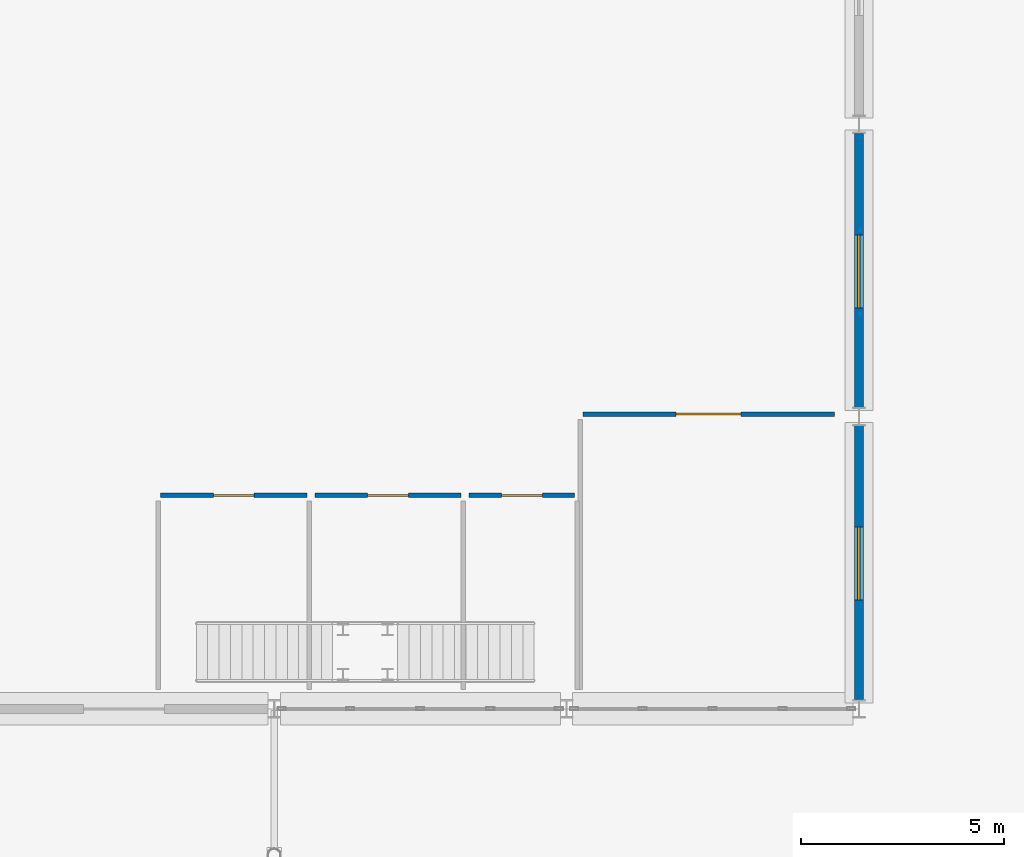
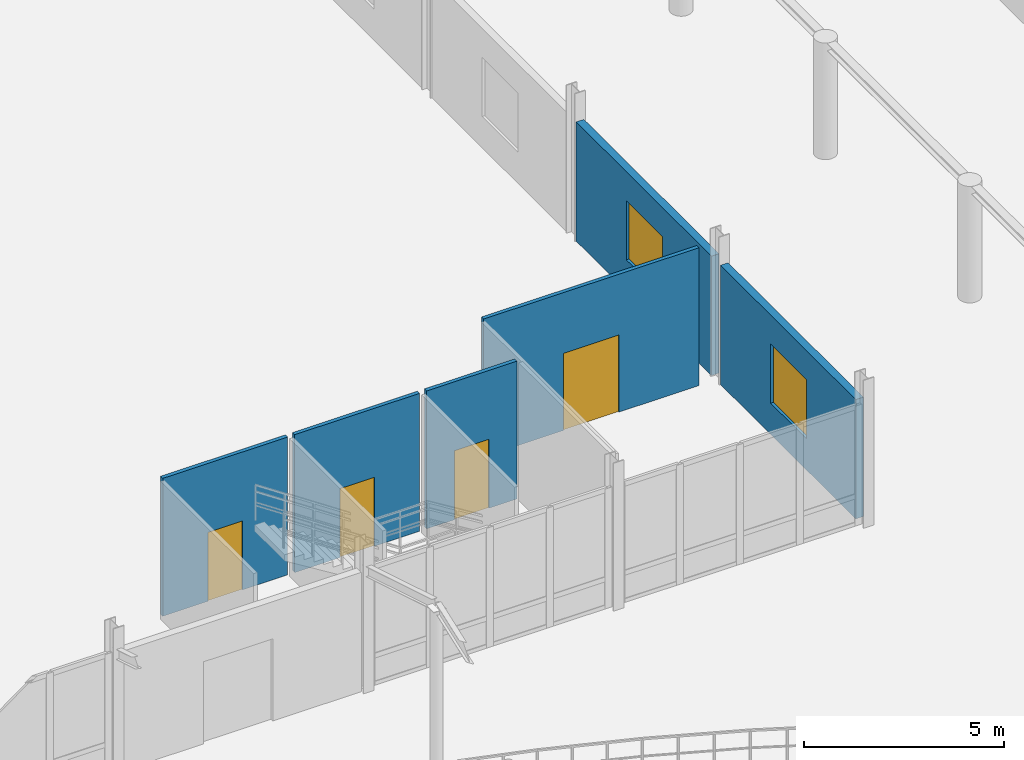
# One storey, part 114 of 139: 6 walls, 4 doors, 2 windows, 6 openings.
"""IFC4 building model written with IfcOpenShell, lengths in metres."""

from ifc_helpers import new_model, si_unit, direction, frame, frame_2d, origin, place, context, subcontext, project, spatial, rectangle, extrude, material, layer, layer_set, type_object, element, fill, save


model = new_model("IFC4")

# Units and contexts
model_context = context("Model", 3, precision=1e-05, world=origin(), true_north=direction((0.0, 1.0)))
body_context = subcontext(model_context, "Body", "Model", "MODEL_VIEW")
ifc_project = project(units=[si_unit("LENGTHUNIT", "METRE"), si_unit("AREAUNIT", "SQUARE_METRE"), si_unit("VOLUMEUNIT", "CUBIC_METRE"), si_unit("PLANEANGLEUNIT", "RADIAN"), si_unit("MASSUNIT", "GRAM", prefix="KILO")], contexts=[model_context])

# Site, building, storey
site_placement = place(None, origin())
site = spatial("IfcSite", under=ifc_project, at=site_placement, CompositionType="ELEMENT")
building_placement = place(site_placement, origin())
building = spatial("IfcBuilding", under=site, at=building_placement, Name="Suanplinth Sawtooth Commons", CompositionType="ELEMENT")
storey_placement = place(building_placement, origin())
storey = spatial("IfcBuildingStorey", under=building, at=storey_placement, Name="L00", CompositionType="ELEMENT", Elevation=0.0)

# Wall, opening, window
ifc_material_1 = material(Name="Precast concrete C40/50", Category="concrete")
ifc_layer_1 = layer(ifc_material_1, 0.219970703125, Name="Civic pavilion insulated facade wall 220mm")
ifc_layer_set_1 = layer_set([ifc_layer_1], Name="Precast concrete C40/50")
wall_type_1 = type_object("IfcWallType", Name="W-EX05", PredefinedType="ELEMENTEDWALL", material=ifc_layer_set_1)
wall_1_placement = place(storey_placement, frame((115.199951171875, 50.625, 0.0), z_axis=(0.0, 0.0, 1.0), x_axis=(0.0, 1.0, 0.0)))
wall_1 = element("IfcWall", 1, at=wall_1_placement, inside=storey, type_object=wall_type_1, Name="Hall E Wall L00-7", PredefinedType="ELEMENTEDWALL", context=body_context, shape_type="SweptSolid", body=[
    extrude(rectangle(XDim=6.75, YDim=0.219970703125, at=frame_2d((3.375, 0.0))), origin(), (0.0, 0.0, 1.0), 3.635009765625),
])
opening_1_placement = place(wall_1_placement, frame((2.449951171875, 0.0, 0.949951171875)))
opening_1 = element("IfcOpeningElement", 2, at=opening_1_placement, cuts=wall_1, Name="Opening W0008", PredefinedType="OPENING", context=body_context, shape_type="SweptSolid", body=[
    extrude(rectangle(XDim=1.800048828125, YDim=1.800048828125, at=frame_2d((0.89990234375, 0.89990234375))), frame((0.0, 0.125, 0.0), z_axis=(0.0, -1.0, 0.0), x_axis=(1.0, 0.0, 0.0)), (0.0, 0.0, 1.0), 0.249755859375),
])
ifc_material_2 = material(Name="Thermally broken aluminium and low-E double glazing", Category="aluminium")
window_type = type_object("IfcWindowType", Name="WN-07", PartitioningType="DOUBLE_PANEL_VERTICAL", PredefinedType="WINDOW", material=ifc_material_2)
window_1_placement = place(opening_1_placement, origin())
window_1 = element("IfcWindow", 3, at=window_1_placement, inside=storey, type_object=window_type, Name="Hall E Window L00-7", OverallHeight=1.800048828125, OverallWidth=1.800048828125, PartitioningType="DOUBLE_PANEL_VERTICAL", PredefinedType="WINDOW", context=body_context, shape_type="SweptSolid", body=[
    extrude(rectangle(XDim=1.800048828125, YDim=1.800048828125, at=frame_2d((0.89990234375, 0.89990234375))), frame((0.0, 0.030029296875, 0.0), z_axis=(0.0, -1.0, 0.0), x_axis=(1.0, 0.0, 0.0)), (0.0, 0.0, 1.0), 0.06005859375),
])
fill(opening_1, window_1)

wall_2_placement = place(storey_placement, frame((115.199951171875, 57.824951171875, 0.0), z_axis=(0.0, 0.0, 1.0), x_axis=(0.0, 1.0, 0.0)))
wall_2 = element("IfcWall", 4, at=wall_2_placement, inside=storey, type_object=wall_type_1, Name="Hall E Wall L00-8", PredefinedType="ELEMENTEDWALL", context=body_context, shape_type="SweptSolid", body=[
    extrude(rectangle(XDim=6.75, YDim=0.219970703125, at=frame_2d((3.375, 0.0))), origin(), (0.0, 0.0, 1.0), 3.635009765625),
])
opening_2_placement = place(wall_2_placement, frame((2.449951171875, 0.0, 0.949951171875)))
opening_2 = element("IfcOpeningElement", 5, at=opening_2_placement, cuts=wall_2, Name="Opening W0012", PredefinedType="OPENING", context=body_context, shape_type="SweptSolid", body=[
    extrude(rectangle(XDim=1.800048828125, YDim=1.800048828125, at=frame_2d((0.89990234375, 0.89990234375))), frame((0.0, 0.125, 0.0), z_axis=(0.0, -1.0, 0.0), x_axis=(1.0, 0.0, 0.0)), (0.0, 0.0, 1.0), 0.249755859375),
])
window_2_placement = place(opening_2_placement, origin())
window_2 = element("IfcWindow", 6, at=window_2_placement, inside=storey, type_object=window_type, Name="Hall E Window L00-8", OverallHeight=1.800048828125, OverallWidth=1.800048828125, PartitioningType="DOUBLE_PANEL_VERTICAL", PredefinedType="WINDOW", context=body_context, shape_type="SweptSolid", body=[
    extrude(rectangle(XDim=1.800048828125, YDim=1.800048828125, at=frame_2d((0.89990234375, 0.89990234375))), frame((0.0, 0.030029296875, 0.0), z_axis=(0.0, -1.0, 0.0), x_axis=(1.0, 0.0, 0.0)), (0.0, 0.0, 1.0), 0.06005859375),
])
fill(opening_2, window_2)

# Wall, opening, door
ifc_material_3 = material(Name="Gypsum plasterboard on steel stud", Category="steel")
ifc_layer_2 = layer(ifc_material_3, 0.110107421875, Name="Civic classroom and clinic partition 110mm")
ifc_layer_set_2 = layer_set([ifc_layer_2], Name="Gypsum plasterboard on steel stud")
wall_type_2 = type_object("IfcWallType", Name="W-PT04", PredefinedType="PARTITIONING", material=ifc_layer_set_2)
wall_3_placement = place(storey_placement, frame((98.0, 55.659912109375, 0.0), z_axis=(0.0, 0.0, 1.0), x_axis=(1.0, 0.0, 0.0)))
wall_3 = element("IfcWall", 7, at=wall_3_placement, inside=storey, type_object=wall_type_2, Name="W-L00-HALL-WCM-N", PredefinedType="PARTITIONING", context=body_context, shape_type="SweptSolid", body=[
    extrude(rectangle(XDim=3.60009765625, YDim=0.110107421875, at=frame_2d((1.800048828125, 0.0))), origin(), (0.0, 0.0, 1.0), 4.199951171875),
])
opening_3_placement = place(wall_3_placement, frame((1.300048828125, 0.0, 0.0)))
opening_3 = element("IfcOpeningElement", 8, at=opening_3_placement, cuts=wall_3, Name="Opening D0438", PredefinedType="OPENING", context=body_context, shape_type="SweptSolid", body=[
    extrude(rectangle(XDim=1.0, YDim=2.10009765625, at=frame_2d((0.5, 1.050048828125))), frame((0.0, 0.06982421875, 0.0), z_axis=(0.0, -1.0, 0.0), x_axis=(1.0, 0.0, 0.0)), (0.0, 0.0, 1.0), 0.139892578125),
])
ifc_material_4 = material(Name="Teak hardwood", Category="wood")
door_type_1 = type_object("IfcDoorType", Name="D-04", OperationType="NOTDEFINED", PredefinedType="DOOR", material=ifc_material_4)
door_1_placement = place(opening_3_placement, frame((1.0, 0.0, 0.0), z_axis=(0.0, 0.0, 1.0), x_axis=(-1.0, 0.0, 0.0)))
door_1 = element("IfcDoor", 9, at=door_1_placement, inside=storey, type_object=door_type_1, Name="Civic Room Door D0438", OperationType="SINGLE_SWING_LEFT", OverallHeight=2.10009765625, OverallWidth=1.0, PredefinedType="DOOR", context=body_context, shape_type="SweptSolid", body=[
    extrude(rectangle(XDim=1.0, YDim=2.10009765625, at=frame_2d((0.5, 1.050048828125))), frame((0.0, 0.02490234375, 0.0), z_axis=(0.0, -1.0, 0.0), x_axis=(1.0, 0.0, 0.0)), (0.0, 0.0, 1.0), 0.050048828125),
])
fill(opening_3, door_1)

wall_4_placement = place(storey_placement, frame((101.800048828125, 55.659912109375, 0.0), z_axis=(0.0, 0.0, 1.0), x_axis=(1.0, 0.0, 0.0)))
wall_4 = element("IfcWall", 10, at=wall_4_placement, inside=storey, type_object=wall_type_2, Name="W-L00-HALL-WCF-N", PredefinedType="PARTITIONING", context=body_context, shape_type="SweptSolid", body=[
    extrude(rectangle(XDim=3.599853515625, YDim=0.110107421875, at=frame_2d((1.7998046875, 0.0))), origin(), (0.0, 0.0, 1.0), 4.199951171875),
])
opening_4_placement = place(wall_4_placement, frame((1.300048828125, 0.0, 0.0)))
opening_4 = element("IfcOpeningElement", 11, at=opening_4_placement, cuts=wall_4, Name="Opening D0439", PredefinedType="OPENING", context=body_context, shape_type="SweptSolid", body=[
    extrude(rectangle(XDim=1.0, YDim=2.10009765625, at=frame_2d((0.5, 1.050048828125))), frame((0.0, 0.06982421875, 0.0), z_axis=(0.0, -1.0, 0.0), x_axis=(1.0, 0.0, 0.0)), (0.0, 0.0, 1.0), 0.139892578125),
])
door_2_placement = place(opening_4_placement, frame((1.0, 0.0, 0.0), z_axis=(0.0, 0.0, 1.0), x_axis=(-1.0, 0.0, 0.0)))
door_2 = element("IfcDoor", 12, at=door_2_placement, inside=storey, type_object=door_type_1, Name="Civic Room Door D0439", OperationType="SINGLE_SWING_RIGHT", OverallHeight=2.10009765625, OverallWidth=1.0, PredefinedType="DOOR", context=body_context, shape_type="SweptSolid", body=[
    extrude(rectangle(XDim=1.0, YDim=2.10009765625, at=frame_2d((0.5, 1.050048828125))), frame((0.0, 0.02490234375, 0.0), z_axis=(0.0, -1.0, 0.0), x_axis=(1.0, 0.0, 0.0)), (0.0, 0.0, 1.0), 0.050048828125),
])
fill(opening_4, door_2)

wall_5_placement = place(storey_placement, frame((105.60009765625, 55.659912109375, 0.0), z_axis=(0.0, 0.0, 1.0), x_axis=(1.0, 0.0, 0.0)))
wall_5 = element("IfcWall", 13, at=wall_5_placement, inside=storey, type_object=wall_type_2, Name="W-L00-HALL-WCACC-N", PredefinedType="PARTITIONING", context=body_context, shape_type="SweptSolid", body=[
    extrude(rectangle(XDim=2.599853515625, YDim=0.110107421875, at=frame_2d((1.2998046875, 0.0))), origin(), (0.0, 0.0, 1.0), 4.199951171875),
])
opening_5_placement = place(wall_5_placement, frame((0.800048828125, 0.0, 0.0)))
opening_5 = element("IfcOpeningElement", 14, at=opening_5_placement, cuts=wall_5, Name="Opening D0440", PredefinedType="OPENING", context=body_context, shape_type="SweptSolid", body=[
    extrude(rectangle(XDim=1.0, YDim=2.10009765625, at=frame_2d((0.5, 1.050048828125))), frame((0.0, 0.06982421875, 0.0), z_axis=(0.0, -1.0, 0.0), x_axis=(1.0, 0.0, 0.0)), (0.0, 0.0, 1.0), 0.139892578125),
])
door_3_placement = place(opening_5_placement, frame((1.0, 0.0, 0.0), z_axis=(0.0, 0.0, 1.0), x_axis=(-1.0, 0.0, 0.0)))
door_3 = element("IfcDoor", 15, at=door_3_placement, inside=storey, type_object=door_type_1, Name="Civic Room Door D0440", OperationType="SINGLE_SWING_LEFT", OverallHeight=2.10009765625, OverallWidth=1.0, PredefinedType="DOOR", context=body_context, shape_type="SweptSolid", body=[
    extrude(rectangle(XDim=1.0, YDim=2.10009765625, at=frame_2d((0.5, 1.050048828125))), frame((0.0, 0.02490234375, 0.0), z_axis=(0.0, -1.0, 0.0), x_axis=(1.0, 0.0, 0.0)), (0.0, 0.0, 1.0), 0.050048828125),
])
fill(opening_5, door_3)

wall_6_placement = place(storey_placement, frame((108.39990234375, 57.659912109375, 0.0), z_axis=(0.0, 0.0, 1.0), x_axis=(1.0, 0.0, 0.0)))
wall_6 = element("IfcWall", 16, at=wall_6_placement, inside=storey, type_object=wall_type_2, Name="W-L00-HALL-AV-N", PredefinedType="PARTITIONING", context=body_context, shape_type="SweptSolid", body=[
    extrude(rectangle(XDim=6.2001953125, YDim=0.110107421875, at=frame_2d((3.10009765625, 0.0))), origin(), (0.0, 0.0, 1.0), 4.199951171875),
])
opening_6_placement = place(wall_6_placement, frame((2.300048828125, 0.0, 0.0)))
opening_6 = element("IfcOpeningElement", 17, at=opening_6_placement, cuts=wall_6, Name="Opening D0441", PredefinedType="OPENING", context=body_context, shape_type="SweptSolid", body=[
    extrude(rectangle(XDim=1.60009765625, YDim=2.35009765625, at=frame_2d((0.800048828125, 1.175048828125))), frame((0.0, 0.06982421875, 0.0), z_axis=(0.0, -1.0, 0.0), x_axis=(1.0, 0.0, 0.0)), (0.0, 0.0, 1.0), 0.139892578125),
])
door_type_2 = type_object("IfcDoorType", Name="D-10", OperationType="DOUBLE_DOOR_SINGLE_SWING", PredefinedType="DOOR", material=ifc_material_4)
door_4_placement = place(opening_6_placement, frame((1.60009765625, 0.0, 0.0), z_axis=(0.0, 0.0, 1.0), x_axis=(-1.0, 0.0, 0.0)))
door_4 = element("IfcDoor", 18, at=door_4_placement, inside=storey, type_object=door_type_2, Name="Civic Room Door D0441", OperationType="DOUBLE_DOOR_SINGLE_SWING", OverallHeight=2.35009765625, OverallWidth=1.60009765625, PredefinedType="DOOR", context=body_context, shape_type="SweptSolid", body=[
    extrude(rectangle(XDim=1.60009765625, YDim=2.35009765625, at=frame_2d((0.800048828125, 1.175048828125))), frame((0.0, 0.02490234375, 0.0), z_axis=(0.0, -1.0, 0.0), x_axis=(1.0, 0.0, 0.0)), (0.0, 0.0, 1.0), 0.050048828125),
])
fill(opening_6, door_4)

save(model, "model.ifc")
